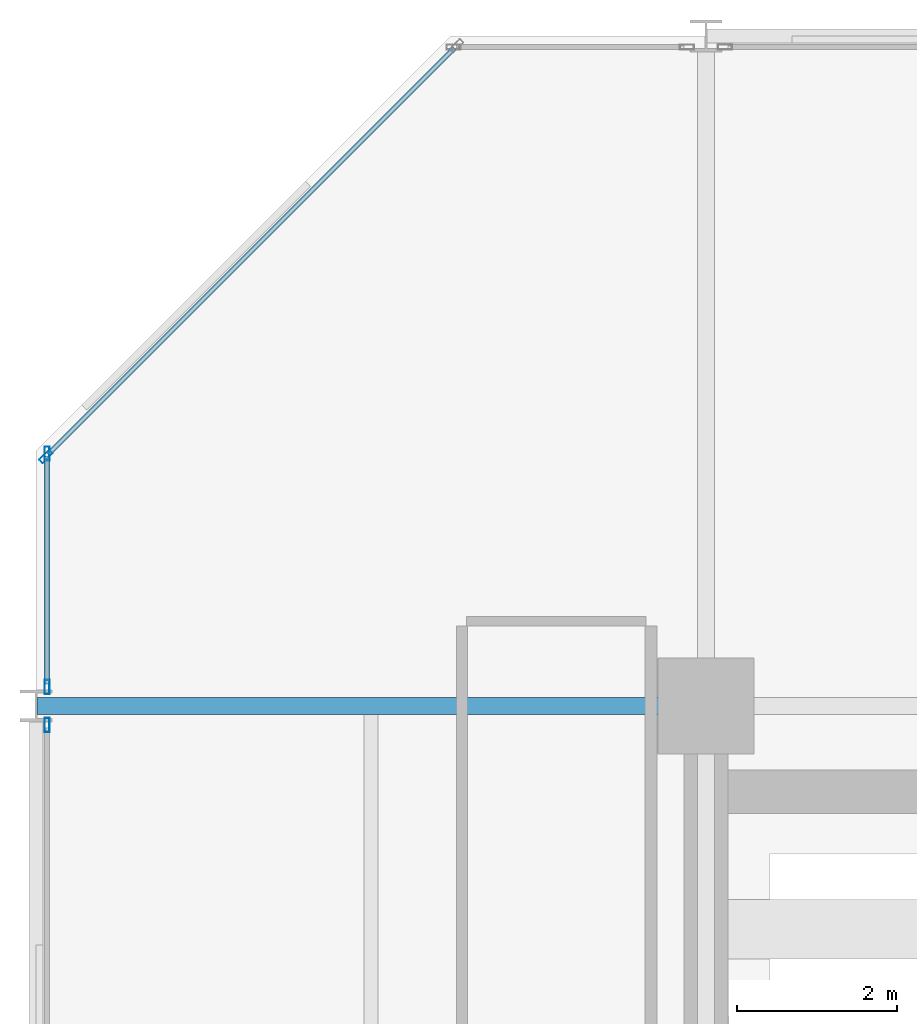
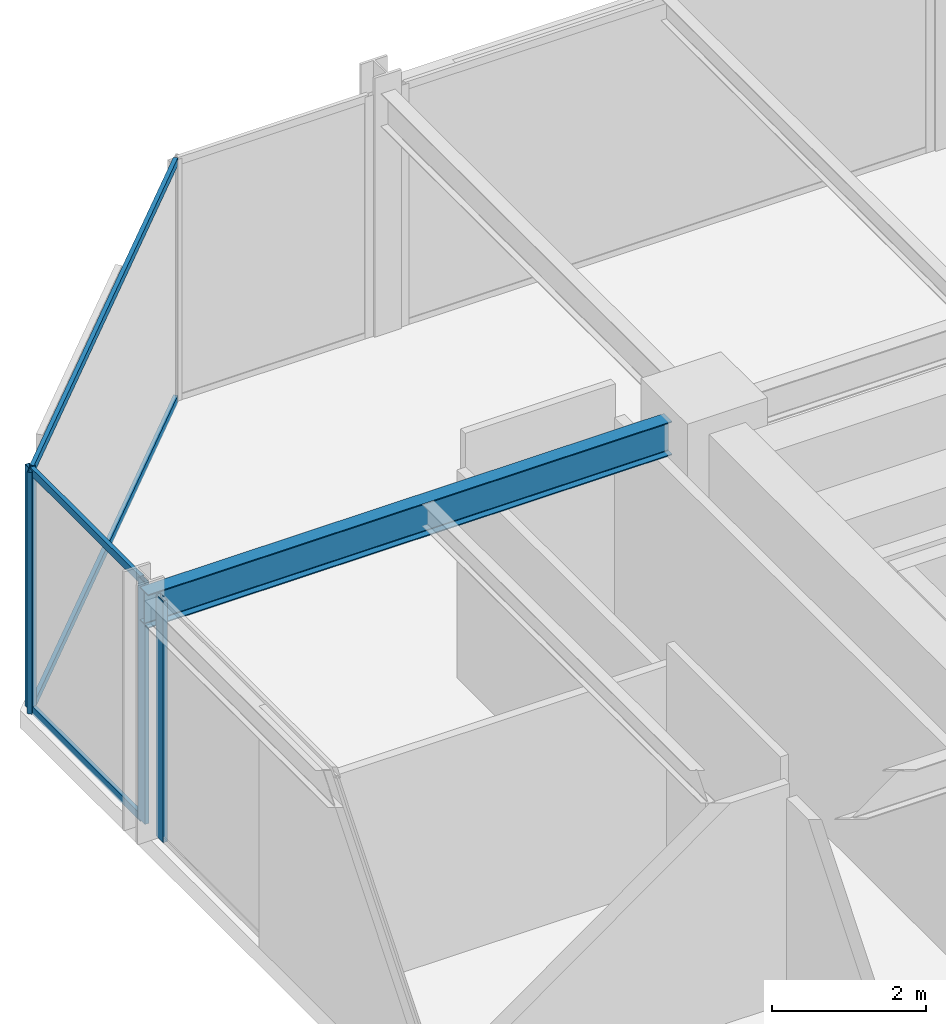
# One storey, part 18 of 29: 8 members, 1 beam, 3 elements without a shape of their own.
"""IFC4 building model written with IfcOpenShell, lengths in metres."""

import ifcopenshell
import ifcopenshell.guid

model = None  # the IFC model being written
_history = None  # IfcOwnerHistory: only IFC2X3 demands one
_inside = {}  # id of a spatial element -> (the spatial element, [elements in it])
_under = {}  # id of a project, library or spatial element -> (it, [spatial elements below it])
_declared = {}  # id of a project -> (the project, [libraries it declares])
_typed = {}  # id of a type object -> (the type object, [elements of that type])
_made_of = {}  # id of a material, layer set ... -> (it, [elements and type objects made of it])


def new_model(schema):
    """Start an empty IFC model of exactly this schema.

    Asked for "IFC4X3", IfcOpenShell would pick the latest addendum, in which some entities
    have other attributes; the version numbers below select the first issue.
    IFC2X3 requires an IfcOwnerHistory on every rooted entity: one is made here for all.
    """
    global model, _history
    if schema == "IFC4X3":
        model = ifcopenshell.file(schema_version=(4, 3, 0, 0))
    else:
        model = ifcopenshell.file(schema=schema)
    _inside.clear()
    _under.clear()
    _declared.clear()
    _typed.clear()
    _made_of.clear()
    _history = None
    if model.schema == "IFC2X3":
        org = make("IfcOrganization", Name="unknown")
        user = make(
            "IfcPersonAndOrganization",
            ThePerson=make("IfcPerson", FamilyName="unknown"),
            TheOrganization=org,
        )
        app = make(
            "IfcApplication",
            ApplicationDeveloper=org,
            Version="unknown",
            ApplicationFullName="unknown",
            ApplicationIdentifier="unknown",
        )
        _history = make(
            "IfcOwnerHistory",
            OwningUser=user,
            OwningApplication=app,
            ChangeAction="ADDED",
            CreationDate=0,
        )
    return model


def make(cls, **values):
    """One entity of the class cls with the attributes given. An attribute that is None is left unset."""
    return model.create_entity(
        cls, **{name: value for name, value in values.items() if value is not None}
    )


def rooted(cls, **values):
    """An entity with a GlobalId (a new one), such as an element, a storey or a relation."""
    return make(cls, GlobalId=ifcopenshell.guid.new(), OwnerHistory=_history, **values)


def si_unit(unit_type, name, prefix=None):
    """IfcSIUnit, for example si_unit("LENGTHUNIT", "METRE", prefix="MILLI")."""
    return make("IfcSIUnit", UnitType=unit_type, Prefix=prefix, Name=name)


def assignment(units):
    """IfcUnitAssignment: the units of a project."""
    return None if units is None else make("IfcUnitAssignment", Units=units)


def point(xyz):
    """IfcCartesianPoint."""
    return None if xyz is None else make("IfcCartesianPoint", Coordinates=xyz)


def direction(xyz):
    """IfcDirection."""
    return None if xyz is None else make("IfcDirection", DirectionRatios=xyz)


def frame(location, z_axis=None, x_axis=None):
    """IfcAxis2Placement3D, a coordinate frame: its origin and axes. An axis left out is left unset."""
    return make(
        "IfcAxis2Placement3D",
        Location=point(location),
        Axis=direction(z_axis),
        RefDirection=direction(x_axis),
    )


def frame_2d(location, x_axis=None):
    """IfcAxis2Placement2D, a coordinate frame in the plane: its origin and x axis."""
    return make(
        "IfcAxis2Placement2D", Location=point(location), RefDirection=direction(x_axis)
    )


def origin():
    """The frame at (0, 0, 0) with its axes left unset."""
    return frame((0.0, 0.0, 0.0))


def origin_2d():
    """The frame at (0, 0) in the plane with its x axis left unset."""
    return frame_2d((0.0, 0.0))


def place(relative_to, where):
    """IfcLocalPlacement: puts the frame where relative to a parent placement (None: the world)."""
    return make(
        "IfcLocalPlacement", PlacementRelTo=relative_to, RelativePlacement=where
    )


def context(
    kind, dimensions, precision=None, world=None, true_north=None, identifier=None
):
    """IfcGeometricRepresentationContext, for example the 3D "Model" context."""
    return make(
        "IfcGeometricRepresentationContext",
        ContextIdentifier=identifier,
        ContextType=kind,
        CoordinateSpaceDimension=dimensions,
        Precision=precision,
        WorldCoordinateSystem=world,
        TrueNorth=true_north,
    )


def subcontext(parent, identifier, kind, view, scale=None):
    """IfcGeometricRepresentationSubContext, for example "Body" below "Model"."""
    return make(
        "IfcGeometricRepresentationSubContext",
        ContextIdentifier=identifier,
        ContextType=kind,
        ParentContext=parent,
        TargetScale=scale,
        TargetView=view,
    )


def project(units=None, contexts=None):
    """IfcProject with its units and contexts."""
    return rooted(
        "IfcProject",
        Name="project",
        RepresentationContexts=contexts,
        UnitsInContext=assignment(units),
    )


def spatial(cls, under=None, at=None, **own):
    """A site, building, storey or space (cls), placed at a placement, below another one or the project."""
    s = rooted(cls, ObjectPlacement=at, **own)
    if under is not None:
        _under.setdefault(under.id(), (under, []))[1].append(s)
    return s


def profile(cls, at=None, kind="AREA", **sizes):
    """A parametric profile (cls). Its sizes go by their IFC names, for example OverallWidth=200.0."""
    return make(cls, ProfileType=kind, Position=at, **sizes)


def hollow_rectangle(**sizes):
    """IfcRectangleHollowProfileDef."""
    return profile("IfcRectangleHollowProfileDef", **sizes)


def i_section(**sizes):
    """IfcIShapeProfileDef."""
    return profile("IfcIShapeProfileDef", **sizes)


def extrude(swept, where, along, depth):
    """IfcExtrudedAreaSolid: the profile swept, set in the frame where, extruded along a direction by depth."""
    return make(
        "IfcExtrudedAreaSolid",
        SweptArea=swept,
        Position=where,
        ExtrudedDirection=direction(along),
        Depth=depth,
    )


def shape(context_of_items, identifier, shape_type, items):
    """IfcShapeRepresentation: the items that make up one representation, for example the "Body"."""
    return make(
        "IfcShapeRepresentation",
        ContextOfItems=context_of_items,
        RepresentationIdentifier=identifier,
        RepresentationType=shape_type,
        Items=items,
    )


def material(Name=None, Category=None):
    """IfcMaterial."""
    return make("IfcMaterial", Name=Name, Category=Category)


def layer(
    of_material, thickness, ventilated=None, Name=None, Category=None, Priority=None
):
    """IfcMaterialLayer: one layer of a wall or slab, of a material (None: an air gap)."""
    return make(
        "IfcMaterialLayer",
        Material=of_material,
        LayerThickness=thickness,
        IsVentilated=ventilated,
        Name=Name,
        Category=Category,
        Priority=Priority,
    )


def layer_set(layers, Name=None):
    """IfcMaterialLayerSet."""
    return make("IfcMaterialLayerSet", MaterialLayers=layers, LayerSetName=Name)


def material_profile(
    of_material, cross_section, Name=None, Category=None, Priority=None
):
    """IfcMaterialProfile: a cross section and its material."""
    return make(
        "IfcMaterialProfile",
        Name=Name,
        Material=of_material,
        Profile=cross_section,
        Priority=Priority,
        Category=Category,
    )


def profile_set(profiles, Name=None, composite=None):
    """IfcMaterialProfileSet."""
    return make(
        "IfcMaterialProfileSet",
        Name=Name,
        MaterialProfiles=profiles,
        CompositeProfile=composite,
    )


def made_of(thing, what):
    """Note that an element or type object is made of a material, layer set ...; save() writes the relation."""
    if what is not None:
        _made_of.setdefault(what.id(), (what, []))[1].append(thing)
    return thing


def type_object(cls, material=None, **own):
    """A type object (cls), such as IfcWallType, which elements share."""
    return made_of(rooted(cls, **own), material)


def element(
    cls,
    number,
    at=None,
    inside=None,
    cuts=None,
    type_object=None,
    material=None,
    context=None,
    identifier="Body",
    shape_type=None,
    held_by="IfcProductDefinitionShape",
    body=None,
    shapes=None,
    **own,
):
    """One element of the class cls, such as IfcWall. Its Tag is "e" and its number.

    at: its placement. inside: the storey or other place that contains it. cuts: it is an
    opening in that element (IfcRelVoidsElement). A single representation is given by context,
    identifier, shape_type and body (its items); several are given by shapes. held_by: the class
    of the entity that holds the representations. save() writes the other relations.
    """
    e = rooted(cls, Tag="e%d" % number, ObjectPlacement=at, **own)
    if body is not None:
        shapes = [shape(context, identifier, shape_type, body)]
    if shapes is not None:
        e.Representation = make(held_by, Representations=shapes)
    if inside is not None:
        _inside.setdefault(inside.id(), (inside, []))[1].append(e)
    if cuts is not None:
        rooted(
            "IfcRelVoidsElement", RelatingBuildingElement=cuts, RelatedOpeningElement=e
        )
    if type_object is not None:
        _typed.setdefault(type_object.id(), (type_object, []))[1].append(e)
    return made_of(e, material)


def aggregate(whole, parts):
    """IfcRelAggregates: a whole, such as a stair, and the parts it consists of."""
    return rooted("IfcRelAggregates", RelatingObject=whole, RelatedObjects=parts)


def save(model, path):
    """Write the relations noted so far, then the file.

    IfcRelAggregates (storeys below a building ...), IfcRelContainedInSpatialStructure (elements
    in a storey), IfcRelDefinesByType, IfcRelAssociatesMaterial and IfcRelDeclares: one each for
    every whole, place, type object, material and project.
    """
    for whole, parts in _under.values():
        aggregate(whole, parts)
    for where, things in _inside.values():
        rooted(
            "IfcRelContainedInSpatialStructure",
            RelatedElements=things,
            RelatingStructure=where,
        )
    for kind, things in _typed.values():
        rooted("IfcRelDefinesByType", RelatedObjects=things, RelatingType=kind)
    for what, things in _made_of.values():
        rooted("IfcRelAssociatesMaterial", RelatedObjects=things, RelatingMaterial=what)
    for by, libraries in _declared.values():
        rooted("IfcRelDeclares", RelatingContext=by, RelatedDefinitions=libraries)
    model.write(path)


model = new_model("IFC4")

# Units and contexts
model_context = context("Model", 3, precision=1e-05, world=origin(), true_north=direction((0.0, 1.0)))
body_context = subcontext(model_context, "Body", "Model", "MODEL_VIEW")
ifc_project = project(units=[si_unit("LENGTHUNIT", "METRE"), si_unit("AREAUNIT", "SQUARE_METRE"), si_unit("VOLUMEUNIT", "CUBIC_METRE"), si_unit("PLANEANGLEUNIT", "RADIAN"), si_unit("MASSUNIT", "GRAM", prefix="KILO")], contexts=[model_context])

# Site, building, storey
site_placement = place(None, origin())
site = spatial("IfcSite", under=ifc_project, at=site_placement, CompositionType="ELEMENT")
building_placement = place(site_placement, origin())
building = spatial("IfcBuilding", under=site, at=building_placement, Name="Nerrivon Quay Data Exchange", CompositionType="ELEMENT")
storey_placement = place(building_placement, frame((0.0, 0.0, 133.60009765625)))
storey = spatial("IfcBuildingStorey", under=building, at=storey_placement, Name="L31", CompositionType="ELEMENT", Elevation=133.60009765625)

# Beam
ifc_material_1 = material(Name="Steel Grade 350", Category="steel")
ifc_material_profile_1 = material_profile(ifc_material_1, i_section(OverallWidth=0.208984375, OverallDepth=0.532958984375, WebThickness=0.01025390625, FlangeThickness=0.015625, FilletRadius=0.013916015625, at=origin_2d()), Name="530UB92.4")
ifc_profile_set_1 = profile_set([ifc_material_profile_1], Name="Steel Grade 350")
beam_type = type_object("IfcBeamType", Name="BM-G3-530UB92", PredefinedType="BEAM", material=ifc_profile_set_1)
beam_placement = place(storey_placement, frame((0.012451171875, 42.0, 3.558349609375), z_axis=(1.0, 0.0, 0.0), x_axis=(0.0, 1.0, 0.0)))
element("IfcBeam", 1, at=beam_placement, inside=storey, type_object=beam_type, Name="L31 EW Girder Y=42.0 (0.0..8.4)", PredefinedType="BEAM", context=body_context, shape_type="SweptSolid", body=[
    extrude(i_section(OverallWidth=0.208984375, OverallDepth=0.532958984375, WebThickness=0.01025390625, FlangeThickness=0.015625, FilletRadius=0.013916015625, at=origin_2d()), origin(), (0.0, 0.0, 1.0), 7.84765625),
])

# Curtain wall, member
ifc_material_2 = material(Name="Anodised aluminium 6063-T6", Category="aluminium")
ifc_layer = layer(ifc_material_2, 0.2099609375)
ifc_layer_set = layer_set([ifc_layer], Name="Anodised aluminium 6063-T6")
curtain_wall_type = type_object("IfcCurtainWallType", Name="CW-SYS-02", PredefinedType="NOTDEFINED", material=ifc_layer_set)
curtain_wall_1_placement = place(storey_placement, origin())
curtain_wall_1 = element("IfcCurtainWall", 2, at=curtain_wall_1_placement, inside=storey, type_object=curtain_wall_type, Name="L31 Unitised Curtain Wall 15", PredefinedType="NOTDEFINED")
ifc_material_profile_2 = material_profile(ifc_material_2, hollow_rectangle(XDim=0.06494140625, YDim=0.179931640625, WallThickness=0.00341796875, at=origin_2d()), Name="ALU-MULL-180x65")
ifc_profile_set_2 = profile_set([ifc_material_profile_2], Name="Anodised aluminium 6063-T6")
member_type_1 = type_object("IfcMemberType", Name="CWM-180x65", PredefinedType="MULLION", material=ifc_profile_set_2)
member_1_placement = place(storey_placement, frame((0.139892578125, 41.762451171875, 0.0), z_axis=(0.0, 0.0, 1.0), x_axis=(-1.0, 0.0, 0.0)))
member_1 = element("IfcMember", 3, at=member_1_placement, type_object=member_type_1, Name="CW02 mullion 2", PredefinedType="MULLION", context=body_context, shape_type="SweptSolid", body=[
    extrude(hollow_rectangle(XDim=0.06494140625, YDim=0.179931640625, WallThickness=0.00341796875, at=origin_2d()), origin(), (0.0, 0.0, 1.0), 3.824951171875),
])
aggregate(curtain_wall_1, [member_1])

# Curtain wall, members
curtain_wall_2_placement = place(storey_placement, origin())
curtain_wall_2 = element("IfcCurtainWall", 4, at=curtain_wall_2_placement, inside=storey, type_object=curtain_wall_type, Name="L31 Unitised Curtain Wall 16", PredefinedType="NOTDEFINED")
member_2_placement = place(storey_placement, frame((0.139892578125, 42.237548828125, 0.0), z_axis=(0.0, 0.0, 1.0), x_axis=(-1.0, 0.0, 0.0)))
member_2 = element("IfcMember", 5, at=member_2_placement, type_object=member_type_1, Name="CW02 mullion 1", PredefinedType="MULLION", context=body_context, shape_type="SweptSolid", body=[
    extrude(hollow_rectangle(XDim=0.06494140625, YDim=0.179931640625, WallThickness=0.00341796875, at=origin_2d()), origin(), (0.0, 0.0, 1.0), 3.824951171875),
])
member_3_placement = place(storey_placement, frame((0.139892578125, 45.16259765625, 0.0), z_axis=(0.0, 0.0, 1.0), x_axis=(-1.0, 0.0, 0.0)))
member_3 = element("IfcMember", 6, at=member_3_placement, type_object=member_type_1, Name="CW02 mullion 2", PredefinedType="MULLION", context=body_context, shape_type="SweptSolid", body=[
    extrude(hollow_rectangle(XDim=0.06494140625, YDim=0.179931640625, WallThickness=0.00341796875, at=origin_2d()), origin(), (0.0, 0.0, 1.0), 3.824951171875),
])

# Curtain wall, member
curtain_wall_3_placement = place(storey_placement, origin())
curtain_wall_3 = element("IfcCurtainWall", 7, at=curtain_wall_3_placement, inside=storey, type_object=curtain_wall_type, Name="L31 Unitised Curtain Wall 17", PredefinedType="NOTDEFINED")
member_4_placement = place(storey_placement, frame((0.12548828125, 45.12744140625, 0.0), z_axis=(0.0, 0.0, 1.0), x_axis=(-0.707106781187, 0.707106781187, 0.0)))
member_4 = element("IfcMember", 8, at=member_4_placement, type_object=member_type_1, Name="CW02 mullion 1", PredefinedType="MULLION", context=body_context, shape_type="SweptSolid", body=[
    extrude(hollow_rectangle(XDim=0.06494140625, YDim=0.179931640625, WallThickness=0.00341796875, at=origin_2d()), origin(), (0.0, 0.0, 1.0), 3.824951171875),
])

# Member
ifc_material_profile_3 = material_profile(ifc_material_2, hollow_rectangle(XDim=0.06005859375, YDim=0.1201171875, WallThickness=0.003173828125, at=origin_2d()), Name="ALU-TRAN-120x60")
ifc_profile_set_3 = profile_set([ifc_material_profile_3], Name="Anodised aluminium 6063-T6")
member_type_2 = type_object("IfcMemberType", Name="CWT-120x60", PredefinedType="USERDEFINED", material=ifc_profile_set_3)
member_5_placement = place(storey_placement, frame((0.139892578125, 42.27490234375, 0.032470703125), z_axis=(0.0, 1.0, 0.0), x_axis=(-1.0, 0.0, 0.0)))
member_5 = element("IfcMember", 9, at=member_5_placement, type_object=member_type_2, Name="CW02 transom 1.1", ObjectType="TRANSOM", PredefinedType="USERDEFINED", context=body_context, shape_type="SweptSolid", body=[
    extrude(hollow_rectangle(XDim=0.06005859375, YDim=0.1201171875, WallThickness=0.003173828125, at=origin_2d()), origin(), (0.0, 0.0, 1.0), 2.85009765625),
])

member_6_placement = place(storey_placement, frame((0.139892578125, 42.27490234375, 3.79248046875), z_axis=(0.0, 1.0, 0.0), x_axis=(-1.0, 0.0, 0.0)))
member_6 = element("IfcMember", 10, at=member_6_placement, type_object=member_type_2, Name="CW02 transom 1.2", ObjectType="TRANSOM", PredefinedType="USERDEFINED", context=body_context, shape_type="SweptSolid", body=[
    extrude(hollow_rectangle(XDim=0.06005859375, YDim=0.1201171875, WallThickness=0.003173828125, at=origin_2d()), origin(), (0.0, 0.0, 1.0), 2.85009765625),
])

aggregate(curtain_wall_2, [member_2, member_3, member_5, member_6])

member_7_placement = place(storey_placement, frame((0.152099609375, 45.154052734375, 0.032470703125), z_axis=(0.707089835771, 0.707123726196, 0.0), x_axis=(-0.707123726196, 0.707089835771, 0.0)))
member_7 = element("IfcMember", 11, at=member_7_placement, type_object=member_type_2, Name="CW02 transom 1.1", ObjectType="TRANSOM", PredefinedType="USERDEFINED", context=body_context, shape_type="SweptSolid", body=[
    extrude(hollow_rectangle(XDim=0.06005859375, YDim=0.1201171875, WallThickness=0.003173828125, at=origin_2d()), origin(), (0.0, 0.0, 1.0), 7.203857421875),
])

member_8_placement = place(storey_placement, frame((0.152099609375, 45.154052734375, 3.79248046875), z_axis=(0.707089835771, 0.707123726196, 0.0), x_axis=(-0.707123726196, 0.707089835771, 0.0)))
member_8 = element("IfcMember", 12, at=member_8_placement, type_object=member_type_2, Name="CW02 transom 1.2", ObjectType="TRANSOM", PredefinedType="USERDEFINED", context=body_context, shape_type="SweptSolid", body=[
    extrude(hollow_rectangle(XDim=0.06005859375, YDim=0.1201171875, WallThickness=0.003173828125, at=origin_2d()), origin(), (0.0, 0.0, 1.0), 7.203857421875),
])

aggregate(curtain_wall_3, [member_4, member_7, member_8])

save(model, "model.ifc")
